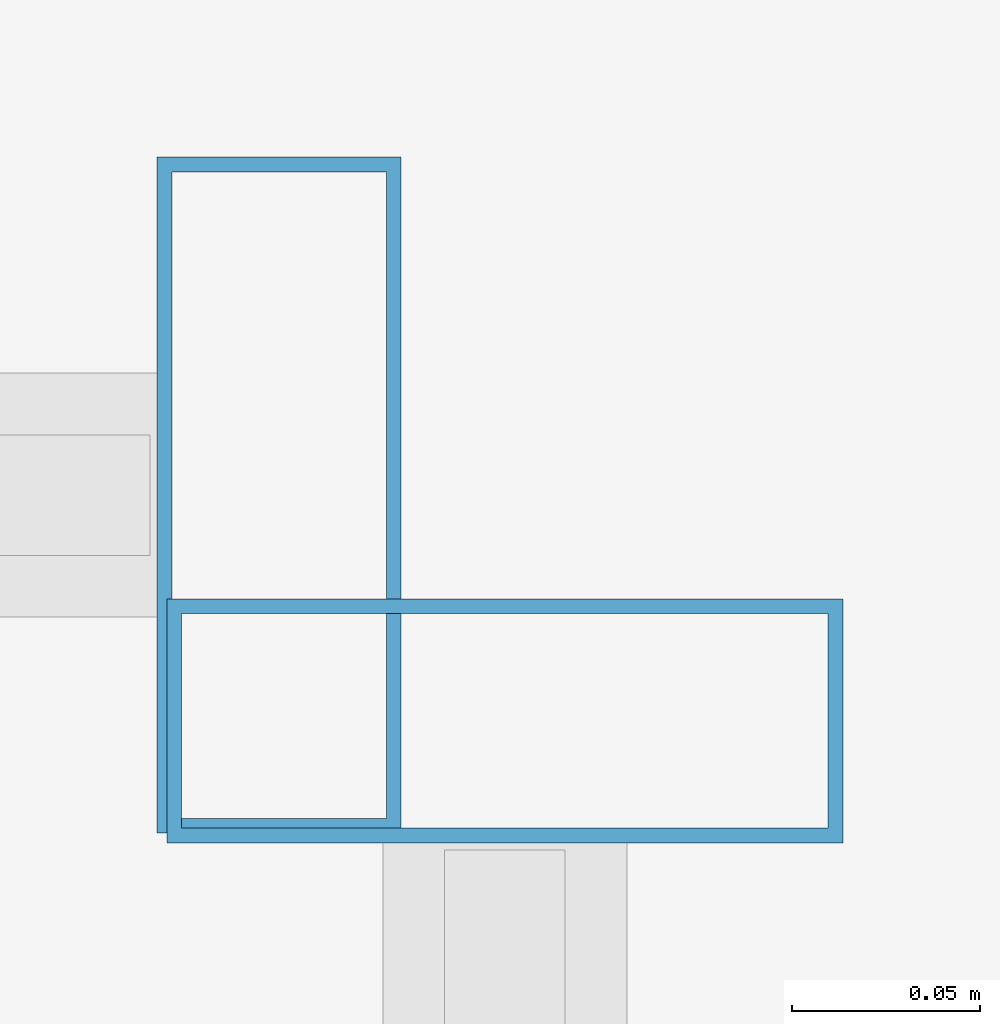
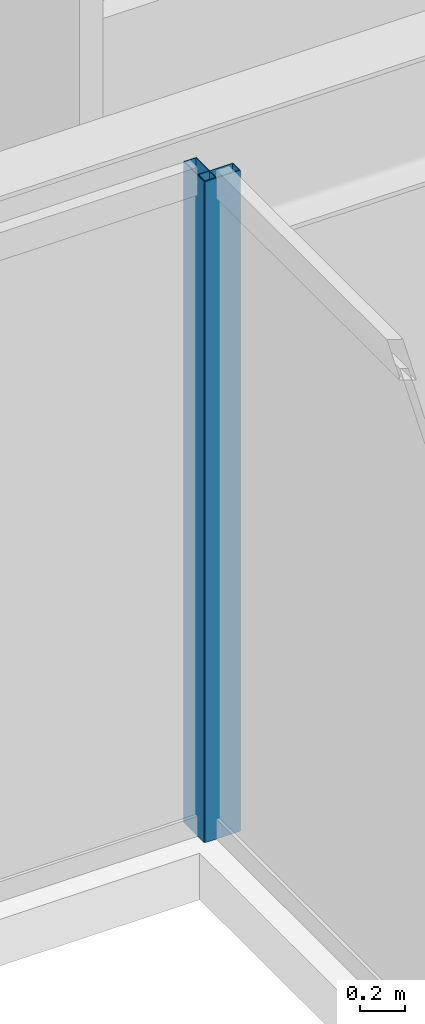
# One storey, part 13 of 36: 2 members, 2 elements without a shape of their own.
"""IFC4 building model written with IfcOpenShell, lengths in metres."""

from ifc_helpers import new_model, si_unit, direction, frame, origin, origin_2d, place, context, subcontext, project, spatial, hollow_rectangle, extrude, material, material_profile, profile_set, type_object, element, aggregate, save


model = new_model("IFC4")

# Units and contexts
model_context = context("Model", 3, precision=1e-05, world=origin(), true_north=direction((0.0, 1.0)))
body_context = subcontext(model_context, "Body", "Model", "MODEL_VIEW")
ifc_project = project(units=[si_unit("LENGTHUNIT", "METRE"), si_unit("AREAUNIT", "SQUARE_METRE"), si_unit("VOLUMEUNIT", "CUBIC_METRE"), si_unit("PLANEANGLEUNIT", "RADIAN"), si_unit("MASSUNIT", "GRAM", prefix="KILO")], contexts=[model_context])

# Site, building, storey
site_placement = place(None, origin())
site = spatial("IfcSite", under=ifc_project, at=site_placement, CompositionType="ELEMENT")
building_placement = place(site_placement, origin())
building = spatial("IfcBuilding", under=site, at=building_placement, Name="Saevonmaru Cultural Tower", CompositionType="ELEMENT")
storey_placement = place(building_placement, frame((0.0, 0.0, 156.199951171875)))
storey = spatial("IfcBuildingStorey", under=building, at=storey_placement, Name="L34", CompositionType="ELEMENT", Elevation=156.199951171875)

# Curtain wall, member
ifc_material = material(Name="Satin Bronze Anodised Aluminium", Category="aluminium")
curtain_wall_type = type_object("IfcCurtainWallType", Name="CW-ATR-GLZ", PredefinedType="NOTDEFINED", material=ifc_material)
curtain_wall_1_placement = place(storey_placement, origin())
curtain_wall_1 = element("IfcCurtainWall", 1, at=curtain_wall_1_placement, inside=storey, type_object=curtain_wall_type, Name="L34 Vertical Atrium Glazed Smoke Screen 2", PredefinedType="NOTDEFINED")
ifc_material_profile = material_profile(ifc_material, hollow_rectangle(XDim=0.06494140625, YDim=0.179931640625, WallThickness=0.00390625, at=origin_2d()), Name="ALU-MULL-180x65x4")
ifc_profile_set = profile_set([ifc_material_profile], Name="Satin Bronze Anodised Aluminium")
member_type = type_object("IfcMemberType", Name="ML-CW-INT-180x65", PredefinedType="MULLION", material=ifc_profile_set)
member_1_placement = place(storey_placement, frame((35.949951171875, 37.1298828125, 0.0), z_axis=(0.0, 0.0, 1.0), x_axis=(0.0, 1.0, 0.0)))
member_1 = element("IfcMember", 2, at=member_1_placement, type_object=member_type, Name="CW-ATR-L34-2 mullion 2", PredefinedType="MULLION", context=body_context, shape_type="SweptSolid", body=[
    extrude(hollow_rectangle(XDim=0.06494140625, YDim=0.179931640625, WallThickness=0.00390625, at=origin_2d()), origin(), (0.0, 0.0, 1.0), 3.550048828125),
])
aggregate(curtain_wall_1, [member_1])

curtain_wall_2_placement = place(storey_placement, origin())
curtain_wall_2 = element("IfcCurtainWall", 3, at=curtain_wall_2_placement, inside=storey, type_object=curtain_wall_type, Name="L34 Vertical Atrium Glazed Smoke Screen 3", PredefinedType="NOTDEFINED")
member_2_placement = place(storey_placement, frame((35.889892578125, 37.18994140625, 0.0), z_axis=(0.0, 0.0, 1.0), x_axis=(-1.0, 0.0, 0.0)))
member_2 = element("IfcMember", 4, at=member_2_placement, type_object=member_type, Name="CW-ATR-L34-3 mullion 1", PredefinedType="MULLION", context=body_context, shape_type="SweptSolid", body=[
    extrude(hollow_rectangle(XDim=0.06494140625, YDim=0.179931640625, WallThickness=0.00390625, at=origin_2d()), origin(), (0.0, 0.0, 1.0), 3.550048828125),
])
aggregate(curtain_wall_2, [member_2])

save(model, "model.ifc")
